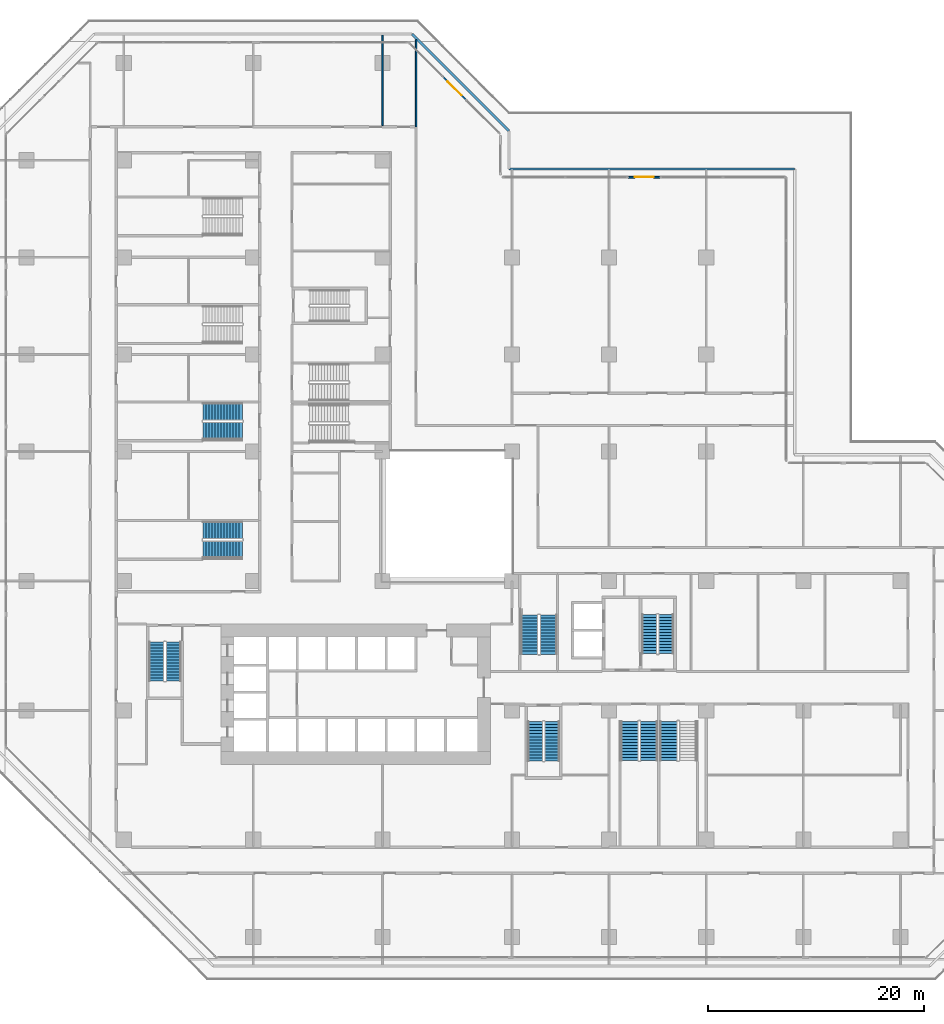
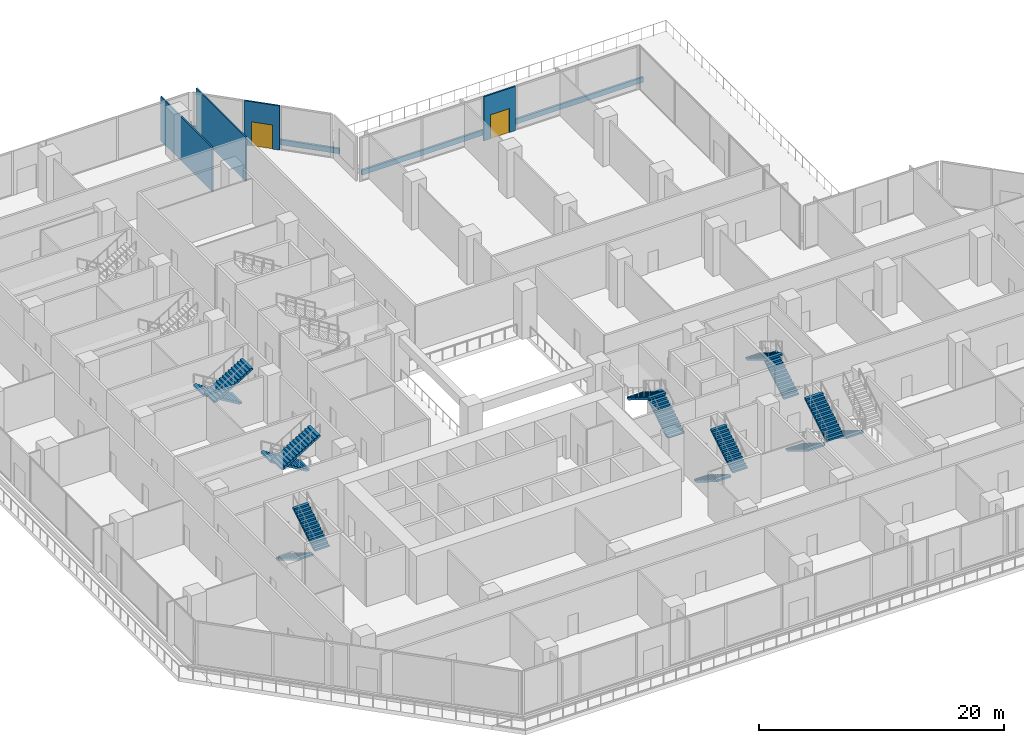
# One storey, part 22 of 31: 15 stair flights, 6 walls, 2 doors, 2 openings, 8 elements without a shape of their own.
"""IFC4 building model written with IfcOpenShell, lengths in metres."""

import ifcopenshell
import ifcopenshell.guid

model = None  # the IFC model being written
_history = None  # IfcOwnerHistory: only IFC2X3 demands one
_inside = {}  # id of a spatial element -> (the spatial element, [elements in it])
_under = {}  # id of a project, library or spatial element -> (it, [spatial elements below it])
_declared = {}  # id of a project -> (the project, [libraries it declares])
_typed = {}  # id of a type object -> (the type object, [elements of that type])
_made_of = {}  # id of a material, layer set ... -> (it, [elements and type objects made of it])


def new_model(schema):
    """Start an empty IFC model of exactly this schema.

    Asked for "IFC4X3", IfcOpenShell would pick the latest addendum, in which some entities
    have other attributes; the version numbers below select the first issue.
    IFC2X3 requires an IfcOwnerHistory on every rooted entity: one is made here for all.
    """
    global model, _history
    if schema == "IFC4X3":
        model = ifcopenshell.file(schema_version=(4, 3, 0, 0))
    else:
        model = ifcopenshell.file(schema=schema)
    _inside.clear()
    _under.clear()
    _declared.clear()
    _typed.clear()
    _made_of.clear()
    _history = None
    if model.schema == "IFC2X3":
        org = make("IfcOrganization", Name="unknown")
        user = make(
            "IfcPersonAndOrganization",
            ThePerson=make("IfcPerson", FamilyName="unknown"),
            TheOrganization=org,
        )
        app = make(
            "IfcApplication",
            ApplicationDeveloper=org,
            Version="unknown",
            ApplicationFullName="unknown",
            ApplicationIdentifier="unknown",
        )
        _history = make(
            "IfcOwnerHistory",
            OwningUser=user,
            OwningApplication=app,
            ChangeAction="ADDED",
            CreationDate=0,
        )
    return model


def make(cls, **values):
    """One entity of the class cls with the attributes given. An attribute that is None is left unset."""
    return model.create_entity(
        cls, **{name: value for name, value in values.items() if value is not None}
    )


def rooted(cls, **values):
    """An entity with a GlobalId (a new one), such as an element, a storey or a relation."""
    return make(cls, GlobalId=ifcopenshell.guid.new(), OwnerHistory=_history, **values)


def si_unit(unit_type, name, prefix=None):
    """IfcSIUnit, for example si_unit("LENGTHUNIT", "METRE", prefix="MILLI")."""
    return make("IfcSIUnit", UnitType=unit_type, Prefix=prefix, Name=name)


def assignment(units):
    """IfcUnitAssignment: the units of a project."""
    return None if units is None else make("IfcUnitAssignment", Units=units)


def point(xyz):
    """IfcCartesianPoint."""
    return None if xyz is None else make("IfcCartesianPoint", Coordinates=xyz)


def direction(xyz):
    """IfcDirection."""
    return None if xyz is None else make("IfcDirection", DirectionRatios=xyz)


def frame(location, z_axis=None, x_axis=None):
    """IfcAxis2Placement3D, a coordinate frame: its origin and axes. An axis left out is left unset."""
    return make(
        "IfcAxis2Placement3D",
        Location=point(location),
        Axis=direction(z_axis),
        RefDirection=direction(x_axis),
    )


def frame_2d(location, x_axis=None):
    """IfcAxis2Placement2D, a coordinate frame in the plane: its origin and x axis."""
    return make(
        "IfcAxis2Placement2D", Location=point(location), RefDirection=direction(x_axis)
    )


def origin():
    """The frame at (0, 0, 0) with its axes left unset."""
    return frame((0.0, 0.0, 0.0))


def place(relative_to, where):
    """IfcLocalPlacement: puts the frame where relative to a parent placement (None: the world)."""
    return make(
        "IfcLocalPlacement", PlacementRelTo=relative_to, RelativePlacement=where
    )


def context(
    kind, dimensions, precision=None, world=None, true_north=None, identifier=None
):
    """IfcGeometricRepresentationContext, for example the 3D "Model" context."""
    return make(
        "IfcGeometricRepresentationContext",
        ContextIdentifier=identifier,
        ContextType=kind,
        CoordinateSpaceDimension=dimensions,
        Precision=precision,
        WorldCoordinateSystem=world,
        TrueNorth=true_north,
    )


def subcontext(parent, identifier, kind, view, scale=None):
    """IfcGeometricRepresentationSubContext, for example "Body" below "Model"."""
    return make(
        "IfcGeometricRepresentationSubContext",
        ContextIdentifier=identifier,
        ContextType=kind,
        ParentContext=parent,
        TargetScale=scale,
        TargetView=view,
    )


def project(units=None, contexts=None):
    """IfcProject with its units and contexts."""
    return rooted(
        "IfcProject",
        Name="project",
        RepresentationContexts=contexts,
        UnitsInContext=assignment(units),
    )


def spatial(cls, under=None, at=None, **own):
    """A site, building, storey or space (cls), placed at a placement, below another one or the project."""
    s = rooted(cls, ObjectPlacement=at, **own)
    if under is not None:
        _under.setdefault(under.id(), (under, []))[1].append(s)
    return s


def polyline(points):
    """IfcPolyline through the points."""
    return make("IfcPolyline", Points=[point(p) for p in points])


def profile(cls, at=None, kind="AREA", **sizes):
    """A parametric profile (cls). Its sizes go by their IFC names, for example OverallWidth=200.0."""
    return make(cls, ProfileType=kind, Position=at, **sizes)


def rectangle(**sizes):
    """IfcRectangleProfileDef."""
    return profile("IfcRectangleProfileDef", **sizes)


def outline(outer, holes=None, kind="AREA"):
    """IfcArbitraryClosedProfileDef: a profile drawn as a closed curve; with holes, ...WithVoids."""
    if holes is None:
        return make("IfcArbitraryClosedProfileDef", ProfileType=kind, OuterCurve=outer)
    return make(
        "IfcArbitraryProfileDefWithVoids",
        ProfileType=kind,
        OuterCurve=outer,
        InnerCurves=holes,
    )


def extrude(swept, where, along, depth):
    """IfcExtrudedAreaSolid: the profile swept, set in the frame where, extruded along a direction by depth."""
    return make(
        "IfcExtrudedAreaSolid",
        SweptArea=swept,
        Position=where,
        ExtrudedDirection=direction(along),
        Depth=depth,
    )


def shape(context_of_items, identifier, shape_type, items):
    """IfcShapeRepresentation: the items that make up one representation, for example the "Body"."""
    return make(
        "IfcShapeRepresentation",
        ContextOfItems=context_of_items,
        RepresentationIdentifier=identifier,
        RepresentationType=shape_type,
        Items=items,
    )


def material(Name=None, Category=None):
    """IfcMaterial."""
    return make("IfcMaterial", Name=Name, Category=Category)


def layer(
    of_material, thickness, ventilated=None, Name=None, Category=None, Priority=None
):
    """IfcMaterialLayer: one layer of a wall or slab, of a material (None: an air gap)."""
    return make(
        "IfcMaterialLayer",
        Material=of_material,
        LayerThickness=thickness,
        IsVentilated=ventilated,
        Name=Name,
        Category=Category,
        Priority=Priority,
    )


def layer_set(layers, Name=None):
    """IfcMaterialLayerSet."""
    return make("IfcMaterialLayerSet", MaterialLayers=layers, LayerSetName=Name)


def made_of(thing, what):
    """Note that an element or type object is made of a material, layer set ...; save() writes the relation."""
    if what is not None:
        _made_of.setdefault(what.id(), (what, []))[1].append(thing)
    return thing


def type_object(cls, material=None, **own):
    """A type object (cls), such as IfcWallType, which elements share."""
    return made_of(rooted(cls, **own), material)


def element(
    cls,
    number,
    at=None,
    inside=None,
    cuts=None,
    type_object=None,
    material=None,
    context=None,
    identifier="Body",
    shape_type=None,
    held_by="IfcProductDefinitionShape",
    body=None,
    shapes=None,
    **own,
):
    """One element of the class cls, such as IfcWall. Its Tag is "e" and its number.

    at: its placement. inside: the storey or other place that contains it. cuts: it is an
    opening in that element (IfcRelVoidsElement). A single representation is given by context,
    identifier, shape_type and body (its items); several are given by shapes. held_by: the class
    of the entity that holds the representations. save() writes the other relations.
    """
    e = rooted(cls, Tag="e%d" % number, ObjectPlacement=at, **own)
    if body is not None:
        shapes = [shape(context, identifier, shape_type, body)]
    if shapes is not None:
        e.Representation = make(held_by, Representations=shapes)
    if inside is not None:
        _inside.setdefault(inside.id(), (inside, []))[1].append(e)
    if cuts is not None:
        rooted(
            "IfcRelVoidsElement", RelatingBuildingElement=cuts, RelatedOpeningElement=e
        )
    if type_object is not None:
        _typed.setdefault(type_object.id(), (type_object, []))[1].append(e)
    return made_of(e, material)


def fill(opening, filler):
    """IfcRelFillsElement: the door or window that sits in an opening."""
    return rooted(
        "IfcRelFillsElement",
        RelatingOpeningElement=opening,
        RelatedBuildingElement=filler,
    )


def aggregate(whole, parts):
    """IfcRelAggregates: a whole, such as a stair, and the parts it consists of."""
    return rooted("IfcRelAggregates", RelatingObject=whole, RelatedObjects=parts)


def save(model, path):
    """Write the relations noted so far, then the file.

    IfcRelAggregates (storeys below a building ...), IfcRelContainedInSpatialStructure (elements
    in a storey), IfcRelDefinesByType, IfcRelAssociatesMaterial and IfcRelDeclares: one each for
    every whole, place, type object, material and project.
    """
    for whole, parts in _under.values():
        aggregate(whole, parts)
    for where, things in _inside.values():
        rooted(
            "IfcRelContainedInSpatialStructure",
            RelatedElements=things,
            RelatingStructure=where,
        )
    for kind, things in _typed.values():
        rooted("IfcRelDefinesByType", RelatedObjects=things, RelatingType=kind)
    for what, things in _made_of.values():
        rooted("IfcRelAssociatesMaterial", RelatedObjects=things, RelatingMaterial=what)
    for by, libraries in _declared.values():
        rooted("IfcRelDeclares", RelatingContext=by, RelatedDefinitions=libraries)
    model.write(path)


model = new_model("IFC4")

# Units and contexts
model_context = context("Model", 3, precision=1e-05, world=origin(), true_north=direction((0.0, 1.0)))
body_context = subcontext(model_context, "Body", "Model", "MODEL_VIEW")
ifc_project = project(units=[si_unit("LENGTHUNIT", "METRE"), si_unit("AREAUNIT", "SQUARE_METRE"), si_unit("VOLUMEUNIT", "CUBIC_METRE"), si_unit("PLANEANGLEUNIT", "RADIAN"), si_unit("MASSUNIT", "GRAM", prefix="KILO")], contexts=[model_context])

# Site, building, storey
site_placement = place(None, origin())
site = spatial("IfcSite", under=ifc_project, at=site_placement, CompositionType="ELEMENT")
building_placement = place(site_placement, origin())
building = spatial("IfcBuilding", under=site, at=building_placement, Name="Chenar Terraces", CompositionType="ELEMENT")
storey_placement = place(building_placement, frame((0.0, 0.0, 12.0)))
storey = spatial("IfcBuildingStorey", under=building, at=storey_placement, Name="L02", CompositionType="ELEMENT", Elevation=12.0)

# Walls
ifc_material_1 = material(Name="Gypsum board on steel studs with mineral wool", Category="steel")
ifc_layer_1 = layer(ifc_material_1, 0.125)
ifc_layer_set_1 = layer_set([ifc_layer_1], Name="Gypsum board on steel studs with mineral wool")
wall_type_1 = type_object("IfcWallType", Name="Acoustic partition 125", PredefinedType="PARTITIONING", material=ifc_layer_set_1)
wall_1_placement = place(storey_placement, frame((24.0, 66.199951171875, 0.0), z_axis=(0.0, 0.0, 1.0), x_axis=(0.0, 1.0, 0.0)))
element("IfcWall", 1, at=wall_1_placement, inside=storey, type_object=wall_type_1, Name="Partition L02-069", PredefinedType="PARTITIONING", context=body_context, shape_type="SweptSolid", body=[
    extrude(rectangle(XDim=8.400146484375, YDim=0.125, at=frame_2d((4.2001953125, 0.0))), origin(), (0.0, 0.0, 1.0), 4.39990234375),
])
wall_2_placement = place(storey_placement, frame((27.10009765625, 66.10009765625, 0.0), z_axis=(0.0, 0.0, 1.0), x_axis=(0.0, 1.0, 0.0)))
element("IfcWall", 2, at=wall_2_placement, inside=storey, type_object=wall_type_1, Name="Partition L02-075", PredefinedType="PARTITIONING", context=body_context, shape_type="SweptSolid", body=[
    extrude(rectangle(XDim=8.08349609375, YDim=0.125, at=frame_2d((4.041748046875, 0.0))), origin(), (0.0, 0.0, 1.0), 4.39990234375),
])

# Wall, opening, door
ifc_material_2 = material(Name="Aluminium framed glazing", Category="aluminium")
ifc_layer_2 = layer(ifc_material_2, 0.14990234375)
ifc_layer_set_2 = layer_set([ifc_layer_2], Name="Aluminium framed glazing")
wall_type_2 = type_object("IfcWallType", Name="Podium glazed wall 150", PredefinedType="SOLIDWALL", material=ifc_layer_set_2)
wall_3_placement = place(storey_placement, frame((31.72509765625, 68.603759765625, 0.0), z_axis=(0.0, 0.0, 1.0), x_axis=(-0.707106781187, 0.707106781187, 0.0)))
wall_3 = element("IfcWall", 3, at=wall_3_placement, inside=storey, type_object=wall_type_2, Name="Podium glazed wall", PredefinedType="SOLIDWALL", context=body_context, shape_type="SweptSolid", body=[
    extrude(rectangle(XDim=3.0, YDim=0.14990234375, at=frame_2d((1.5, 0.0))), origin(), (0.0, 0.0, 1.0), 4.39990234375),
])
opening_1_placement = place(wall_3_placement, frame((0.60009765625, 0.0, 0.0)))
opening_1 = element("IfcOpeningElement", 4, at=opening_1_placement, cuts=wall_3, Name="Opening DL02-T1", PredefinedType="OPENING", context=body_context, shape_type="SweptSolid", body=[
    extrude(rectangle(XDim=1.800048828125, YDim=2.39990234375, at=frame_2d((0.89990234375, 1.199951171875))), frame((0.0, 0.0849609375, 0.0), z_axis=(0.0, -1.0, 0.0), x_axis=(1.0, 0.0, 0.0)), (0.0, 0.0, 1.0), 0.169921875),
])
ifc_material_3 = material(Name="Low emissivity double glazing, aluminium frame", Category="aluminium")
door_type = type_object("IfcDoorType", Name="Terrace glazed double door 1800 x 2400", OperationType="DOUBLE_DOOR_SINGLE_SWING", PredefinedType="DOOR", material=ifc_material_3)
door_1_placement = place(opening_1_placement, frame((1.800048828125, 0.0, 0.0), z_axis=(0.0, 0.0, 1.0), x_axis=(-1.0, 0.0, 0.0)))
door_1 = element("IfcDoor", 5, at=door_1_placement, inside=storey, type_object=door_type, Name="Terrace glazed door", OperationType="DOUBLE_DOOR_SINGLE_SWING", OverallHeight=2.39990234375, OverallWidth=1.800048828125, PredefinedType="DOOR", context=body_context, shape_type="SweptSolid", body=[
    extrude(rectangle(XDim=1.800048828125, YDim=2.39990234375, at=frame_2d((0.89990234375, 1.199951171875))), frame((0.0, 0.02490234375, 0.0), z_axis=(0.0, -1.0, 0.0), x_axis=(1.0, 0.0, 0.0)), (0.0, 0.0, 1.0), 0.050048828125),
])
fill(opening_1, door_1)

wall_4_placement = place(storey_placement, frame((49.75, 61.425048828125, 0.0), z_axis=(0.0, 0.0, 1.0), x_axis=(-1.0, 0.0, 0.0)))
wall_4 = element("IfcWall", 6, at=wall_4_placement, inside=storey, type_object=wall_type_2, Name="Podium glazed wall", PredefinedType="SOLIDWALL", context=body_context, shape_type="SweptSolid", body=[
    extrude(rectangle(XDim=3.0, YDim=0.14990234375, at=frame_2d((1.5, 0.0))), origin(), (0.0, 0.0, 1.0), 4.39990234375),
])
opening_2_placement = place(wall_4_placement, frame((0.60009765625, 0.0, 0.0)))
opening_2 = element("IfcOpeningElement", 7, at=opening_2_placement, cuts=wall_4, Name="Opening DL02-T1", PredefinedType="OPENING", context=body_context, shape_type="SweptSolid", body=[
    extrude(rectangle(XDim=1.800048828125, YDim=2.39990234375, at=frame_2d((0.89990234375, 1.199951171875))), frame((0.0, 0.0849609375, 0.0), z_axis=(0.0, -1.0, 0.0), x_axis=(1.0, 0.0, 0.0)), (0.0, 0.0, 1.0), 0.169921875),
])
door_2_placement = place(opening_2_placement, origin())
door_2 = element("IfcDoor", 8, at=door_2_placement, inside=storey, type_object=door_type, Name="Terrace glazed door", OperationType="DOUBLE_DOOR_SINGLE_SWING", OverallHeight=2.39990234375, OverallWidth=1.800048828125, PredefinedType="DOOR", context=body_context, shape_type="SweptSolid", body=[
    extrude(rectangle(XDim=1.800048828125, YDim=2.39990234375, at=frame_2d((0.89990234375, 1.199951171875))), frame((0.0, 0.02490234375, 0.0), z_axis=(0.0, -1.0, 0.0), x_axis=(1.0, 0.0, 0.0)), (0.0, 0.0, 1.0), 0.050048828125),
])
fill(opening_2, door_2)

# Walls
ifc_material_4 = material(Name="Terracotta cladding on insulated backing", Category="masonry")
ifc_layer_3 = layer(ifc_material_4, 0.199951171875)
ifc_layer_set_3 = layer_set([ifc_layer_3], Name="Terracotta cladding on insulated backing")
wall_type_3 = type_object("IfcWallType", Name="Terrace parapet upstand 200", PredefinedType="PARAPET", material=ifc_layer_set_3)
wall_5_placement = place(storey_placement, frame((35.699951171875, 62.199951171875, 0.0), z_axis=(0.0, 0.0, 1.0), x_axis=(1.0, 0.0, 0.0)))
element("IfcWall", 9, at=wall_5_placement, inside=storey, type_object=wall_type_3, Name="Terrace parapet", PredefinedType="PARAPET", context=body_context, shape_type="SweptSolid", body=[
    extrude(rectangle(XDim=26.5, YDim=0.199951171875, at=frame_2d((13.25, 0.0))), origin(), (0.0, 0.0, 1.0), 0.5),
])
wall_6_placement = place(storey_placement, frame((26.72509765625, 74.699951171875, 0.0), z_axis=(0.0, 0.0, 1.0), x_axis=(0.707106781187, -0.707106781187, 0.0)))
element("IfcWall", 10, at=wall_6_placement, inside=storey, type_object=wall_type_3, Name="Terrace parapet", PredefinedType="PARAPET", context=body_context, shape_type="SweptSolid", body=[
    extrude(rectangle(XDim=12.6923828125, YDim=0.199951171875, at=frame_2d((6.34619140625, 0.0))), origin(), (0.0, 0.0, 1.0), 0.5),
])

# Stair, stair flights
ifc_material_5 = material(Name="Reinforced concrete C40/50", Category="concrete")
stair_type = type_object("IfcStairType", Name="Core stair 1400 half-turn", PredefinedType="HALF_TURN_STAIR", material=ifc_material_5)
placement = place(storey_placement, origin())
stair_1 = element("IfcStair", 11, at=placement, inside=storey, type_object=stair_type, Name="L02 Stair 1", PredefinedType="HALF_TURN_STAIR")
ifc_material_6 = material(Name="Reinforced concrete C40/50", Category="concrete")
stair_flight_type = type_object("IfcStairFlightType", Name="Core stair flight 1400", PredefinedType="STRAIGHT", material=ifc_material_6)
stair_flight_1_placement = place(storey_placement, frame((3.050048828125, 18.35009765625, 0.0), z_axis=(0.0, 0.0, 1.0), x_axis=(0.0, -1.0, 0.0)))
stair_flight_1 = element("IfcStairFlight", 12, at=stair_flight_1_placement, type_object=stair_flight_type, Name="ST1 flight 1", NumberOfRisers=14, NumberOfTreads=13, PredefinedType="STRAIGHT", RiserHeight=0.171428571, TreadLength=0.28, context=body_context, shape_type="SweptSolid", body=[
    extrude(outline(polyline([(-0.0029296875, 0.0), (-0.0029296875, 0.17138671875), (0.0, 0.17138671875), (0.280029296875, 0.17138671875), (0.280029296875, 0.3427734375), (0.56005859375, 0.3427734375), (0.56005859375, 0.514404296875), (0.840087890625, 0.514404296875), (0.840087890625, 0.685791015625), (1.1201171875, 0.685791015625), (1.1201171875, 0.857177734375), (1.39990234375, 0.857177734375), (1.39990234375, 1.028564453125), (1.679931640625, 1.028564453125), (1.679931640625, 1.199951171875), (1.9599609375, 1.199951171875), (1.9599609375, 1.371337890625), (2.239990234375, 1.371337890625), (2.239990234375, 1.54296875), (2.52001953125, 1.54296875), (2.52001953125, 1.71435546875), (2.800048828125, 1.71435546875), (2.800048828125, 1.8857421875), (3.080078125, 1.8857421875), (3.080078125, 2.05712890625), (3.360107421875, 2.05712890625), (3.360107421875, 2.228515625), (3.639892578125, 2.228515625), (3.64306640625, 2.228515625), (3.64306640625, 2.052734375), (3.639892578125, 2.052734375), (0.287109375, 0.0), (-0.0029296875, 0.0)])), frame((0.0, 0.699951171875, 0.0), z_axis=(0.0, -1.0, 0.0), x_axis=(1.0, 0.0, 0.0)), (0.0, 0.0, 1.0), 1.39990234375),
])
stair_flight_2_placement = place(storey_placement, frame((4.60009765625, 14.7099609375, 2.39990234375), z_axis=(0.0, 0.0, 1.0), x_axis=(0.0, 1.0, 0.0)))
stair_flight_2 = element("IfcStairFlight", 13, at=stair_flight_2_placement, type_object=stair_flight_type, Name="ST1 flight 2", NumberOfRisers=14, NumberOfTreads=13, PredefinedType="STRAIGHT", RiserHeight=0.171428571, TreadLength=0.28, context=body_context, shape_type="SweptSolid", body=[
    extrude(outline(polyline([(-0.0029296875, 0.0), (-0.0029296875, 0.17138671875), (0.0, 0.17138671875), (0.280029296875, 0.17138671875), (0.280029296875, 0.3427734375), (0.56005859375, 0.3427734375), (0.56005859375, 0.514404296875), (0.840087890625, 0.514404296875), (0.840087890625, 0.685791015625), (1.1201171875, 0.685791015625), (1.1201171875, 0.857177734375), (1.39990234375, 0.857177734375), (1.39990234375, 1.028564453125), (1.679931640625, 1.028564453125), (1.679931640625, 1.199951171875), (1.9599609375, 1.199951171875), (1.9599609375, 1.371337890625), (2.239990234375, 1.371337890625), (2.239990234375, 1.54296875), (2.52001953125, 1.54296875), (2.52001953125, 1.71435546875), (2.800048828125, 1.71435546875), (2.800048828125, 1.8857421875), (3.080078125, 1.8857421875), (3.080078125, 2.05712890625), (3.360107421875, 2.05712890625), (3.360107421875, 2.228515625), (3.639892578125, 2.228515625), (3.64306640625, 2.228515625), (3.64306640625, 2.052734375), (3.639892578125, 2.052734375), (0.287109375, 0.0), (-0.0029296875, 0.0)])), frame((0.0, 0.699951171875, 0.0), z_axis=(0.0, -1.0, 0.0), x_axis=(1.0, 0.0, 0.0)), (0.0, 0.0, 1.0), 1.39990234375),
])
aggregate(stair_1, [stair_flight_1, stair_flight_2])

stair_2 = element("IfcStair", 14, at=placement, inside=storey, type_object=stair_type, Name="L02 Stair 2", PredefinedType="HALF_TURN_STAIR")
stair_flight_3_placement = place(storey_placement, frame((38.14990234375, 10.949951171875, 0.0), z_axis=(0.0, 0.0, 1.0), x_axis=(0.0, -1.0, 0.0)))
stair_flight_3 = element("IfcStairFlight", 15, at=stair_flight_3_placement, type_object=stair_flight_type, Name="ST2 flight 1", NumberOfRisers=14, NumberOfTreads=13, PredefinedType="STRAIGHT", RiserHeight=0.171428571, TreadLength=0.28, context=body_context, shape_type="SweptSolid", body=[
    extrude(outline(polyline([(-0.0029296875, 0.0), (-0.0029296875, 0.17138671875), (0.0, 0.17138671875), (0.280029296875, 0.17138671875), (0.280029296875, 0.3427734375), (0.56005859375, 0.3427734375), (0.56005859375, 0.514404296875), (0.840087890625, 0.514404296875), (0.840087890625, 0.685791015625), (1.1201171875, 0.685791015625), (1.1201171875, 0.857177734375), (1.39990234375, 0.857177734375), (1.39990234375, 1.028564453125), (1.679931640625, 1.028564453125), (1.679931640625, 1.199951171875), (1.9599609375, 1.199951171875), (1.9599609375, 1.371337890625), (2.239990234375, 1.371337890625), (2.239990234375, 1.54296875), (2.52001953125, 1.54296875), (2.52001953125, 1.71435546875), (2.800048828125, 1.71435546875), (2.800048828125, 1.8857421875), (3.080078125, 1.8857421875), (3.080078125, 2.05712890625), (3.360107421875, 2.05712890625), (3.360107421875, 2.228515625), (3.639892578125, 2.228515625), (3.64306640625, 2.228515625), (3.64306640625, 2.052734375), (3.639892578125, 2.052734375), (0.287109375, 0.0), (-0.0029296875, 0.0)])), frame((0.0, 0.699951171875, 0.0), z_axis=(0.0, -1.0, 0.0), x_axis=(1.0, 0.0, 0.0)), (0.0, 0.0, 1.0), 1.39990234375),
])
stair_flight_4_placement = place(storey_placement, frame((39.699951171875, 7.31005859375, 2.39990234375), z_axis=(0.0, 0.0, 1.0), x_axis=(0.0, 1.0, 0.0)))
stair_flight_4 = element("IfcStairFlight", 16, at=stair_flight_4_placement, type_object=stair_flight_type, Name="ST2 flight 2", NumberOfRisers=14, NumberOfTreads=13, PredefinedType="STRAIGHT", RiserHeight=0.171428571, TreadLength=0.28, context=body_context, shape_type="SweptSolid", body=[
    extrude(outline(polyline([(-0.0029296875, 0.0), (-0.0029296875, 0.17138671875), (0.0, 0.17138671875), (0.280029296875, 0.17138671875), (0.280029296875, 0.3427734375), (0.56005859375, 0.3427734375), (0.56005859375, 0.514404296875), (0.840087890625, 0.514404296875), (0.840087890625, 0.685791015625), (1.1201171875, 0.685791015625), (1.1201171875, 0.857177734375), (1.39990234375, 0.857177734375), (1.39990234375, 1.028564453125), (1.679931640625, 1.028564453125), (1.679931640625, 1.199951171875), (1.9599609375, 1.199951171875), (1.9599609375, 1.371337890625), (2.239990234375, 1.371337890625), (2.239990234375, 1.54296875), (2.52001953125, 1.54296875), (2.52001953125, 1.71435546875), (2.800048828125, 1.71435546875), (2.800048828125, 1.8857421875), (3.080078125, 1.8857421875), (3.080078125, 2.05712890625), (3.360107421875, 2.05712890625), (3.360107421875, 2.228515625), (3.639892578125, 2.228515625), (3.64306640625, 2.228515625), (3.64306640625, 2.052734375), (3.639892578125, 2.052734375), (0.287109375, 0.0), (-0.0029296875, 0.0)])), frame((0.0, 0.699951171875, 0.0), z_axis=(0.0, -1.0, 0.0), x_axis=(1.0, 0.0, 0.0)), (0.0, 0.0, 1.0), 1.39990234375),
])
aggregate(stair_2, [stair_flight_3, stair_flight_4])

stair_3 = element("IfcStair", 17, at=placement, inside=storey, type_object=stair_type, Name="L02 Stair 3", PredefinedType="HALF_TURN_STAIR")
stair_flight_5_placement = place(storey_placement, frame((50.27490234375, 17.25, 0.0), z_axis=(0.0, 0.0, 1.0), x_axis=(0.0, 1.0, 0.0)))
stair_flight_5 = element("IfcStairFlight", 18, at=stair_flight_5_placement, type_object=stair_flight_type, Name="ST3 flight 1", NumberOfRisers=14, NumberOfTreads=13, PredefinedType="STRAIGHT", RiserHeight=0.171428571, TreadLength=0.28, context=body_context, shape_type="SweptSolid", body=[
    extrude(outline(polyline([(-0.0029296875, 0.0), (-0.0029296875, 0.17138671875), (0.0, 0.17138671875), (0.280029296875, 0.17138671875), (0.280029296875, 0.3427734375), (0.56005859375, 0.3427734375), (0.56005859375, 0.514404296875), (0.840087890625, 0.514404296875), (0.840087890625, 0.685791015625), (1.1201171875, 0.685791015625), (1.1201171875, 0.857177734375), (1.39990234375, 0.857177734375), (1.39990234375, 1.028564453125), (1.679931640625, 1.028564453125), (1.679931640625, 1.199951171875), (1.9599609375, 1.199951171875), (1.9599609375, 1.371337890625), (2.239990234375, 1.371337890625), (2.239990234375, 1.54296875), (2.52001953125, 1.54296875), (2.52001953125, 1.71435546875), (2.800048828125, 1.71435546875), (2.800048828125, 1.8857421875), (3.080078125, 1.8857421875), (3.080078125, 2.05712890625), (3.360107421875, 2.05712890625), (3.360107421875, 2.228515625), (3.639892578125, 2.228515625), (3.64306640625, 2.228515625), (3.64306640625, 2.052734375), (3.639892578125, 2.052734375), (0.287109375, 0.0), (-0.0029296875, 0.0)])), frame((0.0, 0.699951171875, 0.0), z_axis=(0.0, -1.0, 0.0), x_axis=(1.0, 0.0, 0.0)), (0.0, 0.0, 1.0), 1.39990234375),
])
stair_flight_6_placement = place(storey_placement, frame((48.72509765625, 20.889892578125, 2.39990234375), z_axis=(0.0, 0.0, 1.0), x_axis=(0.0, -1.0, 0.0)))
stair_flight_6 = element("IfcStairFlight", 19, at=stair_flight_6_placement, type_object=stair_flight_type, Name="ST3 flight 2", NumberOfRisers=14, NumberOfTreads=13, PredefinedType="STRAIGHT", RiserHeight=0.171428571, TreadLength=0.28, context=body_context, shape_type="SweptSolid", body=[
    extrude(outline(polyline([(-0.0029296875, 0.0), (-0.0029296875, 0.17138671875), (0.0, 0.17138671875), (0.280029296875, 0.17138671875), (0.280029296875, 0.3427734375), (0.56005859375, 0.3427734375), (0.56005859375, 0.514404296875), (0.840087890625, 0.514404296875), (0.840087890625, 0.685791015625), (1.1201171875, 0.685791015625), (1.1201171875, 0.857177734375), (1.39990234375, 0.857177734375), (1.39990234375, 1.028564453125), (1.679931640625, 1.028564453125), (1.679931640625, 1.199951171875), (1.9599609375, 1.199951171875), (1.9599609375, 1.371337890625), (2.239990234375, 1.371337890625), (2.239990234375, 1.54296875), (2.52001953125, 1.54296875), (2.52001953125, 1.71435546875), (2.800048828125, 1.71435546875), (2.800048828125, 1.8857421875), (3.080078125, 1.8857421875), (3.080078125, 2.05712890625), (3.360107421875, 2.05712890625), (3.360107421875, 2.228515625), (3.639892578125, 2.228515625), (3.64306640625, 2.228515625), (3.64306640625, 2.052734375), (3.639892578125, 2.052734375), (0.287109375, 0.0), (-0.0029296875, 0.0)])), frame((0.0, 0.699951171875, 0.0), z_axis=(0.0, -1.0, 0.0), x_axis=(1.0, 0.0, 0.0)), (0.0, 0.0, 1.0), 1.39990234375),
])
aggregate(stair_3, [stair_flight_5, stair_flight_6])

stair_4 = element("IfcStair", 20, at=placement, inside=storey, type_object=stair_type, Name="L02 Exit stair PS1", PredefinedType="HALF_TURN_STAIR")
stair_flight_7_placement = place(storey_placement, frame((39.375, 17.199951171875, 0.0), z_axis=(0.0, 0.0, 1.0), x_axis=(0.0, 1.0, 0.0)))
stair_flight_7 = element("IfcStairFlight", 21, at=stair_flight_7_placement, type_object=stair_flight_type, Name="PS1 flight 1", NumberOfRisers=14, NumberOfTreads=13, PredefinedType="STRAIGHT", RiserHeight=0.171428571, TreadLength=0.28, context=body_context, shape_type="SweptSolid", body=[
    extrude(outline(polyline([(-0.0029296875, 0.0), (-0.0029296875, 0.17138671875), (0.0, 0.17138671875), (0.280029296875, 0.17138671875), (0.280029296875, 0.3427734375), (0.56005859375, 0.3427734375), (0.56005859375, 0.514404296875), (0.840087890625, 0.514404296875), (0.840087890625, 0.685791015625), (1.1201171875, 0.685791015625), (1.1201171875, 0.857177734375), (1.39990234375, 0.857177734375), (1.39990234375, 1.028564453125), (1.679931640625, 1.028564453125), (1.679931640625, 1.199951171875), (1.9599609375, 1.199951171875), (1.9599609375, 1.371337890625), (2.239990234375, 1.371337890625), (2.239990234375, 1.54296875), (2.52001953125, 1.54296875), (2.52001953125, 1.71435546875), (2.800048828125, 1.71435546875), (2.800048828125, 1.8857421875), (3.080078125, 1.8857421875), (3.080078125, 2.05712890625), (3.360107421875, 2.05712890625), (3.360107421875, 2.228515625), (3.639892578125, 2.228515625), (3.64306640625, 2.228515625), (3.64306640625, 2.052734375), (3.639892578125, 2.052734375), (0.287109375, 0.0), (-0.0029296875, 0.0)])), frame((0.0, 0.800048828125, 0.0), z_axis=(0.0, -1.0, 0.0), x_axis=(1.0, 0.0, 0.0)), (0.0, 0.0, 1.0), 1.60009765625),
])
stair_flight_8_placement = place(storey_placement, frame((37.625, 20.840087890625, 2.39990234375), z_axis=(0.0, 0.0, 1.0), x_axis=(0.0, -1.0, 0.0)))
stair_flight_8 = element("IfcStairFlight", 22, at=stair_flight_8_placement, type_object=stair_flight_type, Name="PS1 flight 2", NumberOfRisers=14, NumberOfTreads=13, PredefinedType="STRAIGHT", RiserHeight=0.171428571, TreadLength=0.28, context=body_context, shape_type="SweptSolid", body=[
    extrude(outline(polyline([(-0.0029296875, 0.0), (-0.0029296875, 0.17138671875), (0.0, 0.17138671875), (0.280029296875, 0.17138671875), (0.280029296875, 0.3427734375), (0.56005859375, 0.3427734375), (0.56005859375, 0.514404296875), (0.840087890625, 0.514404296875), (0.840087890625, 0.685791015625), (1.1201171875, 0.685791015625), (1.1201171875, 0.857177734375), (1.39990234375, 0.857177734375), (1.39990234375, 1.028564453125), (1.679931640625, 1.028564453125), (1.679931640625, 1.199951171875), (1.9599609375, 1.199951171875), (1.9599609375, 1.371337890625), (2.239990234375, 1.371337890625), (2.239990234375, 1.54296875), (2.52001953125, 1.54296875), (2.52001953125, 1.71435546875), (2.800048828125, 1.71435546875), (2.800048828125, 1.8857421875), (3.080078125, 1.8857421875), (3.080078125, 2.05712890625), (3.360107421875, 2.05712890625), (3.360107421875, 2.228515625), (3.639892578125, 2.228515625), (3.64306640625, 2.228515625), (3.64306640625, 2.052734375), (3.639892578125, 2.052734375), (0.287109375, 0.0), (-0.0029296875, 0.0)])), frame((0.0, 0.800048828125, 0.0), z_axis=(0.0, -1.0, 0.0), x_axis=(1.0, 0.0, 0.0)), (0.0, 0.0, 1.0), 1.60009765625),
])
aggregate(stair_4, [stair_flight_7, stair_flight_8])

# Stair, stair flight
stair_5 = element("IfcStair", 23, at=placement, inside=storey, type_object=stair_type, Name="L02 Exit stair PS2", PredefinedType="HALF_TURN_STAIR")
stair_flight_9_placement = place(storey_placement, frame((50.517578125, 10.985107421875, 0.0), z_axis=(0.0, 0.0, 1.0), x_axis=(0.0, -1.0, 0.0)))
stair_flight_9 = element("IfcStairFlight", 24, at=stair_flight_9_placement, type_object=stair_flight_type, Name="PS2 flight 1", NumberOfRisers=14, NumberOfTreads=13, PredefinedType="STRAIGHT", RiserHeight=0.171428571, TreadLength=0.28, context=body_context, shape_type="SweptSolid", body=[
    extrude(outline(polyline([(-0.0029296875, 0.0), (-0.0029296875, 0.17138671875), (0.0, 0.17138671875), (0.280029296875, 0.17138671875), (0.280029296875, 0.3427734375), (0.56005859375, 0.3427734375), (0.56005859375, 0.514404296875), (0.840087890625, 0.514404296875), (0.840087890625, 0.685791015625), (1.1201171875, 0.685791015625), (1.1201171875, 0.857177734375), (1.39990234375, 0.857177734375), (1.39990234375, 1.028564453125), (1.679931640625, 1.028564453125), (1.679931640625, 1.199951171875), (1.9599609375, 1.199951171875), (1.9599609375, 1.371337890625), (2.239990234375, 1.371337890625), (2.239990234375, 1.54296875), (2.52001953125, 1.54296875), (2.52001953125, 1.71435546875), (2.800048828125, 1.71435546875), (2.800048828125, 1.8857421875), (3.080078125, 1.8857421875), (3.080078125, 2.05712890625), (3.360107421875, 2.05712890625), (3.360107421875, 2.228515625), (3.639892578125, 2.228515625), (3.64306640625, 2.228515625), (3.64306640625, 2.052734375), (3.639892578125, 2.052734375), (0.287109375, 0.0), (-0.0029296875, 0.0)])), frame((0.0, 0.8076171875, 0.0), z_axis=(0.0, -1.0, 0.0), x_axis=(1.0, 0.0, 0.0)), (0.0, 0.0, 1.0), 1.614990234375),
])
aggregate(stair_5, [stair_flight_9])

# Stair, stair flights
stair_6 = element("IfcStair", 25, at=placement, inside=storey, type_object=stair_type, Name="L02 Exit stair PS5", PredefinedType="HALF_TURN_STAIR")
stair_flight_10_placement = place(storey_placement, frame((10.985107421875, 28.6826171875, 0.0), z_axis=(0.0, 0.0, 1.0), x_axis=(-1.0, 0.0, 0.0)))
stair_flight_10 = element("IfcStairFlight", 26, at=stair_flight_10_placement, type_object=stair_flight_type, Name="PS5 flight 1", NumberOfRisers=14, NumberOfTreads=13, PredefinedType="STRAIGHT", RiserHeight=0.171428571, TreadLength=0.28, context=body_context, shape_type="SweptSolid", body=[
    extrude(outline(polyline([(-0.0029296875, 0.0), (-0.0029296875, 0.17138671875), (0.0, 0.17138671875), (0.280029296875, 0.17138671875), (0.280029296875, 0.3427734375), (0.56005859375, 0.3427734375), (0.56005859375, 0.514404296875), (0.840087890625, 0.514404296875), (0.840087890625, 0.685791015625), (1.1201171875, 0.685791015625), (1.1201171875, 0.857177734375), (1.39990234375, 0.857177734375), (1.39990234375, 1.028564453125), (1.679931640625, 1.028564453125), (1.679931640625, 1.199951171875), (1.9599609375, 1.199951171875), (1.9599609375, 1.371337890625), (2.239990234375, 1.371337890625), (2.239990234375, 1.54296875), (2.52001953125, 1.54296875), (2.52001953125, 1.71435546875), (2.800048828125, 1.71435546875), (2.800048828125, 1.8857421875), (3.080078125, 1.8857421875), (3.080078125, 2.05712890625), (3.360107421875, 2.05712890625), (3.360107421875, 2.228515625), (3.639892578125, 2.228515625), (3.64306640625, 2.228515625), (3.64306640625, 2.052734375), (3.639892578125, 2.052734375), (0.287109375, 0.0), (-0.0029296875, 0.0)])), frame((0.0, 0.8076171875, 0.0), z_axis=(0.0, -1.0, 0.0), x_axis=(1.0, 0.0, 0.0)), (0.0, 0.0, 1.0), 1.614990234375),
])
stair_flight_11_placement = place(storey_placement, frame((7.344970703125, 26.91748046875, 2.39990234375), z_axis=(0.0, 0.0, 1.0), x_axis=(1.0, 0.0, 0.0)))
stair_flight_11 = element("IfcStairFlight", 27, at=stair_flight_11_placement, type_object=stair_flight_type, Name="PS5 flight 2", NumberOfRisers=14, NumberOfTreads=13, PredefinedType="STRAIGHT", RiserHeight=0.171428571, TreadLength=0.28, context=body_context, shape_type="SweptSolid", body=[
    extrude(outline(polyline([(-0.0029296875, 0.0), (-0.0029296875, 0.17138671875), (0.0, 0.17138671875), (0.280029296875, 0.17138671875), (0.280029296875, 0.3427734375), (0.56005859375, 0.3427734375), (0.56005859375, 0.514404296875), (0.840087890625, 0.514404296875), (0.840087890625, 0.685791015625), (1.1201171875, 0.685791015625), (1.1201171875, 0.857177734375), (1.39990234375, 0.857177734375), (1.39990234375, 1.028564453125), (1.679931640625, 1.028564453125), (1.679931640625, 1.199951171875), (1.9599609375, 1.199951171875), (1.9599609375, 1.371337890625), (2.239990234375, 1.371337890625), (2.239990234375, 1.54296875), (2.52001953125, 1.54296875), (2.52001953125, 1.71435546875), (2.800048828125, 1.71435546875), (2.800048828125, 1.8857421875), (3.080078125, 1.8857421875), (3.080078125, 2.05712890625), (3.360107421875, 2.05712890625), (3.360107421875, 2.228515625), (3.639892578125, 2.228515625), (3.64306640625, 2.228515625), (3.64306640625, 2.052734375), (3.639892578125, 2.052734375), (0.287109375, 0.0), (-0.0029296875, 0.0)])), frame((0.0, 0.8076171875, 0.0), z_axis=(0.0, -1.0, 0.0), x_axis=(1.0, 0.0, 0.0)), (0.0, 0.0, 1.0), 1.614990234375),
])
aggregate(stair_6, [stair_flight_10, stair_flight_11])

stair_7 = element("IfcStair", 28, at=placement, inside=storey, type_object=stair_type, Name="L02 Exit stair PS6", PredefinedType="HALF_TURN_STAIR")
stair_flight_12_placement = place(storey_placement, frame((46.91748046875, 10.985107421875, 0.0), z_axis=(0.0, 0.0, 1.0), x_axis=(0.0, -1.0, 0.0)))
stair_flight_12 = element("IfcStairFlight", 29, at=stair_flight_12_placement, type_object=stair_flight_type, Name="PS6 flight 1", NumberOfRisers=14, NumberOfTreads=13, PredefinedType="STRAIGHT", RiserHeight=0.171428571, TreadLength=0.28, context=body_context, shape_type="SweptSolid", body=[
    extrude(outline(polyline([(-0.0029296875, 0.0), (-0.0029296875, 0.17138671875), (0.0, 0.17138671875), (0.280029296875, 0.17138671875), (0.280029296875, 0.3427734375), (0.56005859375, 0.3427734375), (0.56005859375, 0.514404296875), (0.840087890625, 0.514404296875), (0.840087890625, 0.685791015625), (1.1201171875, 0.685791015625), (1.1201171875, 0.857177734375), (1.39990234375, 0.857177734375), (1.39990234375, 1.028564453125), (1.679931640625, 1.028564453125), (1.679931640625, 1.199951171875), (1.9599609375, 1.199951171875), (1.9599609375, 1.371337890625), (2.239990234375, 1.371337890625), (2.239990234375, 1.54296875), (2.52001953125, 1.54296875), (2.52001953125, 1.71435546875), (2.800048828125, 1.71435546875), (2.800048828125, 1.8857421875), (3.080078125, 1.8857421875), (3.080078125, 2.05712890625), (3.360107421875, 2.05712890625), (3.360107421875, 2.228515625), (3.639892578125, 2.228515625), (3.64306640625, 2.228515625), (3.64306640625, 2.052734375), (3.639892578125, 2.052734375), (0.287109375, 0.0), (-0.0029296875, 0.0)])), frame((0.0, 0.8076171875, 0.0), z_axis=(0.0, -1.0, 0.0), x_axis=(1.0, 0.0, 0.0)), (0.0, 0.0, 1.0), 1.614990234375),
])
stair_flight_13_placement = place(storey_placement, frame((48.6826171875, 7.344970703125, 2.39990234375), z_axis=(0.0, 0.0, 1.0), x_axis=(0.0, 1.0, 0.0)))
stair_flight_13 = element("IfcStairFlight", 30, at=stair_flight_13_placement, type_object=stair_flight_type, Name="PS6 flight 2", NumberOfRisers=14, NumberOfTreads=13, PredefinedType="STRAIGHT", RiserHeight=0.171428571, TreadLength=0.28, context=body_context, shape_type="SweptSolid", body=[
    extrude(outline(polyline([(-0.0029296875, 0.0), (-0.0029296875, 0.17138671875), (0.0, 0.17138671875), (0.280029296875, 0.17138671875), (0.280029296875, 0.3427734375), (0.56005859375, 0.3427734375), (0.56005859375, 0.514404296875), (0.840087890625, 0.514404296875), (0.840087890625, 0.685791015625), (1.1201171875, 0.685791015625), (1.1201171875, 0.857177734375), (1.39990234375, 0.857177734375), (1.39990234375, 1.028564453125), (1.679931640625, 1.028564453125), (1.679931640625, 1.199951171875), (1.9599609375, 1.199951171875), (1.9599609375, 1.371337890625), (2.239990234375, 1.371337890625), (2.239990234375, 1.54296875), (2.52001953125, 1.54296875), (2.52001953125, 1.71435546875), (2.800048828125, 1.71435546875), (2.800048828125, 1.8857421875), (3.080078125, 1.8857421875), (3.080078125, 2.05712890625), (3.360107421875, 2.05712890625), (3.360107421875, 2.228515625), (3.639892578125, 2.228515625), (3.64306640625, 2.228515625), (3.64306640625, 2.052734375), (3.639892578125, 2.052734375), (0.287109375, 0.0), (-0.0029296875, 0.0)])), frame((0.0, 0.8076171875, 0.0), z_axis=(0.0, -1.0, 0.0), x_axis=(1.0, 0.0, 0.0)), (0.0, 0.0, 1.0), 1.614990234375),
])
aggregate(stair_7, [stair_flight_12, stair_flight_13])

stair_8 = element("IfcStair", 31, at=placement, inside=storey, type_object=stair_type, Name="L02 Exit stair PS9", PredefinedType="HALF_TURN_STAIR")
stair_flight_14_placement = place(storey_placement, frame((10.985107421875, 39.6826171875, 0.0), z_axis=(0.0, 0.0, 1.0), x_axis=(-1.0, 0.0, 0.0)))
stair_flight_14 = element("IfcStairFlight", 32, at=stair_flight_14_placement, type_object=stair_flight_type, Name="PS9 flight 1", NumberOfRisers=14, NumberOfTreads=13, PredefinedType="STRAIGHT", RiserHeight=0.171428571, TreadLength=0.28, context=body_context, shape_type="SweptSolid", body=[
    extrude(outline(polyline([(-0.0029296875, 0.0), (-0.0029296875, 0.17138671875), (0.0, 0.17138671875), (0.280029296875, 0.17138671875), (0.280029296875, 0.3427734375), (0.56005859375, 0.3427734375), (0.56005859375, 0.514404296875), (0.840087890625, 0.514404296875), (0.840087890625, 0.685791015625), (1.1201171875, 0.685791015625), (1.1201171875, 0.857177734375), (1.39990234375, 0.857177734375), (1.39990234375, 1.028564453125), (1.679931640625, 1.028564453125), (1.679931640625, 1.199951171875), (1.9599609375, 1.199951171875), (1.9599609375, 1.371337890625), (2.239990234375, 1.371337890625), (2.239990234375, 1.54296875), (2.52001953125, 1.54296875), (2.52001953125, 1.71435546875), (2.800048828125, 1.71435546875), (2.800048828125, 1.8857421875), (3.080078125, 1.8857421875), (3.080078125, 2.05712890625), (3.360107421875, 2.05712890625), (3.360107421875, 2.228515625), (3.639892578125, 2.228515625), (3.64306640625, 2.228515625), (3.64306640625, 2.052734375), (3.639892578125, 2.052734375), (0.287109375, 0.0), (-0.0029296875, 0.0)])), frame((0.0, 0.8076171875, 0.0), z_axis=(0.0, -1.0, 0.0), x_axis=(1.0, 0.0, 0.0)), (0.0, 0.0, 1.0), 1.614990234375),
])
stair_flight_15_placement = place(storey_placement, frame((7.344970703125, 37.91748046875, 2.39990234375), z_axis=(0.0, 0.0, 1.0), x_axis=(1.0, 0.0, 0.0)))
stair_flight_15 = element("IfcStairFlight", 33, at=stair_flight_15_placement, type_object=stair_flight_type, Name="PS9 flight 2", NumberOfRisers=14, NumberOfTreads=13, PredefinedType="STRAIGHT", RiserHeight=0.171428571, TreadLength=0.28, context=body_context, shape_type="SweptSolid", body=[
    extrude(outline(polyline([(-0.0029296875, 0.0), (-0.0029296875, 0.17138671875), (0.0, 0.17138671875), (0.280029296875, 0.17138671875), (0.280029296875, 0.3427734375), (0.56005859375, 0.3427734375), (0.56005859375, 0.514404296875), (0.840087890625, 0.514404296875), (0.840087890625, 0.685791015625), (1.1201171875, 0.685791015625), (1.1201171875, 0.857177734375), (1.39990234375, 0.857177734375), (1.39990234375, 1.028564453125), (1.679931640625, 1.028564453125), (1.679931640625, 1.199951171875), (1.9599609375, 1.199951171875), (1.9599609375, 1.371337890625), (2.239990234375, 1.371337890625), (2.239990234375, 1.54296875), (2.52001953125, 1.54296875), (2.52001953125, 1.71435546875), (2.800048828125, 1.71435546875), (2.800048828125, 1.8857421875), (3.080078125, 1.8857421875), (3.080078125, 2.05712890625), (3.360107421875, 2.05712890625), (3.360107421875, 2.228515625), (3.639892578125, 2.228515625), (3.64306640625, 2.228515625), (3.64306640625, 2.052734375), (3.639892578125, 2.052734375), (0.287109375, 0.0), (-0.0029296875, 0.0)])), frame((0.0, 0.8076171875, 0.0), z_axis=(0.0, -1.0, 0.0), x_axis=(1.0, 0.0, 0.0)), (0.0, 0.0, 1.0), 1.614990234375),
])
aggregate(stair_8, [stair_flight_14, stair_flight_15])

save(model, "model.ifc")
